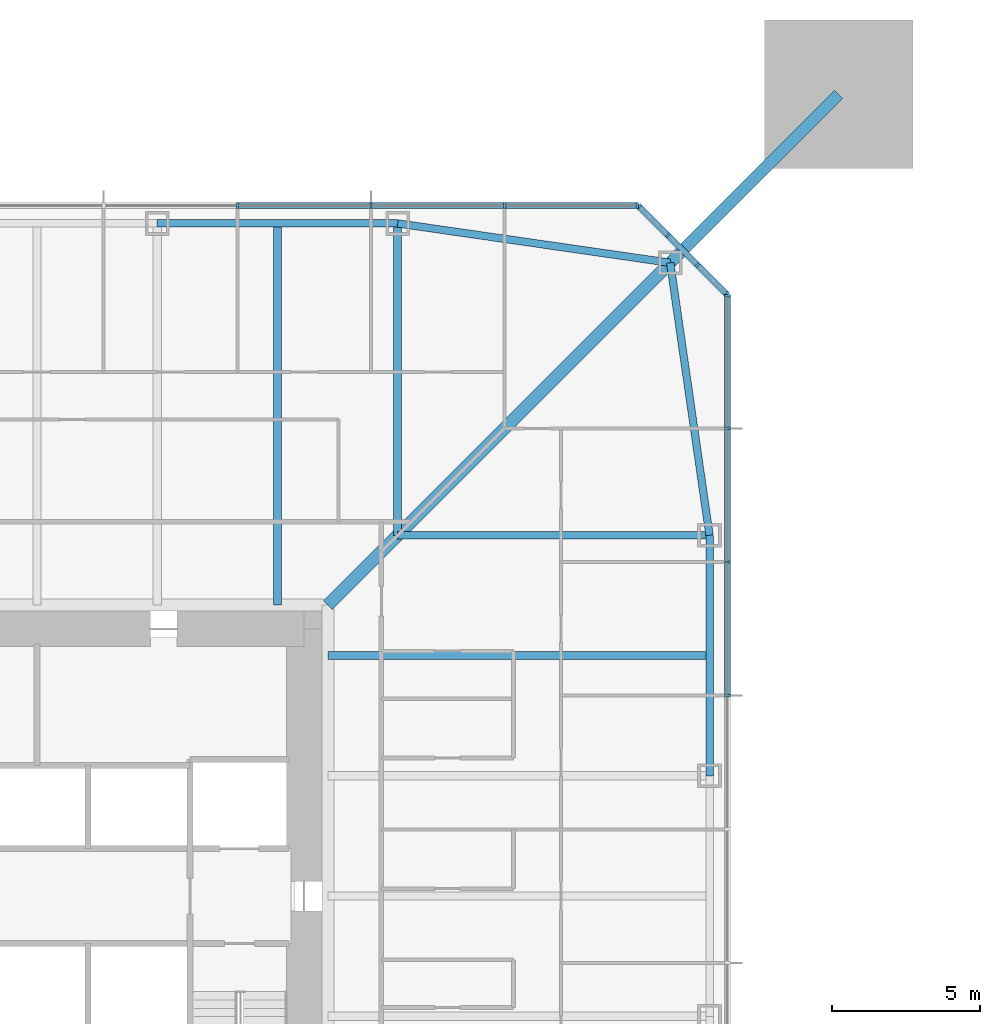
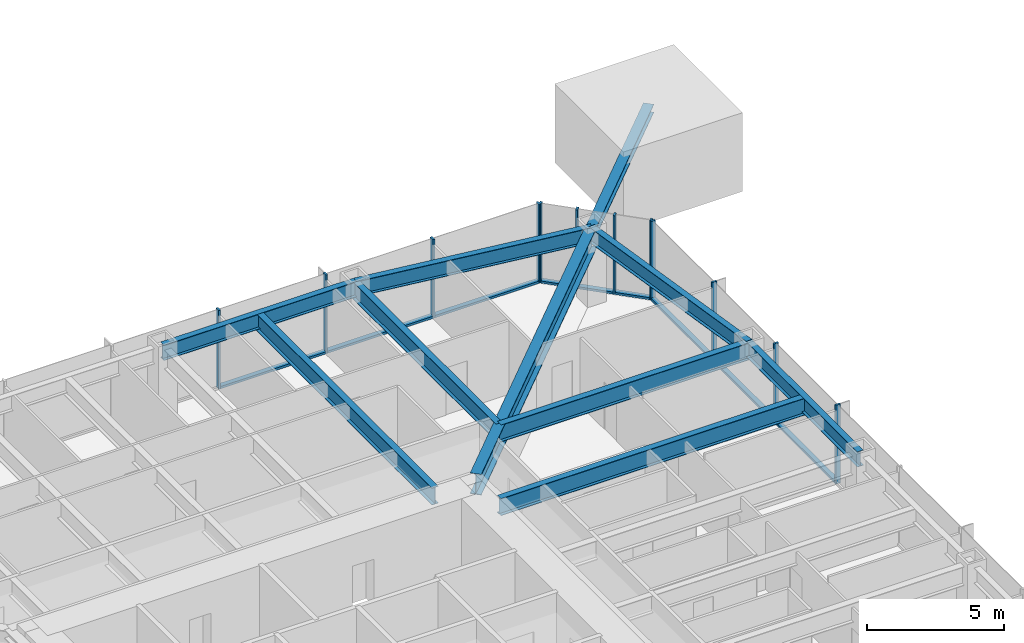
# One storey, part 7 of 26: 22 members, 9 beams, 3 elements without a shape of their own.
"""IFC4 building model written with IfcOpenShell, lengths in metres."""

from ifc_helpers import new_model, si_unit, direction, frame, origin, origin_2d, place, context, subcontext, project, spatial, rectangle, i_section, extrude, material, material_profile, profile_set, type_object, element, aggregate, save


model = new_model("IFC4")

# Units and contexts
model_context = context("Model", 3, precision=1e-05, world=origin(), true_north=direction((0.0, 1.0)))
body_context = subcontext(model_context, "Body", "Model", "MODEL_VIEW")
ifc_project = project(units=[si_unit("LENGTHUNIT", "METRE"), si_unit("AREAUNIT", "SQUARE_METRE"), si_unit("VOLUMEUNIT", "CUBIC_METRE"), si_unit("PLANEANGLEUNIT", "RADIAN"), si_unit("MASSUNIT", "GRAM", prefix="KILO")], contexts=[model_context])

# Site, building, storey
site_placement = place(None, origin())
site = spatial("IfcSite", under=ifc_project, at=site_placement, CompositionType="ELEMENT")
building_placement = place(site_placement, origin())
building = spatial("IfcBuilding", under=site, at=building_placement, Name="Iwan Alto Co-Living Towers", CompositionType="ELEMENT")
storey_placement = place(building_placement, frame((0.0, 0.0, 36.0)))
storey = spatial("IfcBuildingStorey", under=building, at=storey_placement, Name="L09", CompositionType="ELEMENT", Elevation=36.0)

# Curtain wall, members
ifc_material_1 = material(Name="Bronze aluminium unitised frame", Category="aluminium")
curtain_wall_type_1 = type_object("IfcCurtainWallType", Name="CURTAIN WALL CW-A", PredefinedType="NOTDEFINED", material=ifc_material_1)
curtain_wall_1_placement = place(storey_placement, origin())
curtain_wall_1 = element("IfcCurtainWall", 1, at=curtain_wall_1_placement, inside=storey, type_object=curtain_wall_type_1, Name="T1 curtain wall E L09", PredefinedType="NOTDEFINED")
ifc_material_2 = material(Name="Aluminium 6063-T6 bronze anodised", Category="aluminium")
ifc_material_profile_1 = material_profile(ifc_material_2, rectangle(XDim=0.199951171875, YDim=0.080078125, at=origin_2d()), Name="AL 80X200")
ifc_profile_set_1 = profile_set([ifc_material_profile_1], Name="Aluminium 6063-T6 bronze anodised")
member_type_1 = type_object("IfcMemberType", Name="CW-A MULLION 80X200", PredefinedType="MULLION", material=ifc_profile_set_1)
member_1_placement = place(storey_placement, frame((23.25, 6.75, 0.0), z_axis=(0.0, 0.0, 1.0), x_axis=(-1.0, 0.0, 0.0)))
member_1 = element("IfcMember", 2, at=member_1_placement, type_object=member_type_1, Name="CW-A mullion 7", PredefinedType="MULLION", context=body_context, shape_type="SweptSolid", body=[
    extrude(rectangle(XDim=0.199951171875, YDim=0.080078125, at=origin_2d()), origin(), (0.0, 0.0, 1.0), 3.5),
])
member_2_placement = place(storey_placement, frame((23.25, 11.25, 0.0), z_axis=(0.0, 0.0, 1.0), x_axis=(-1.0, 0.0, 0.0)))
member_2 = element("IfcMember", 3, at=member_2_placement, type_object=member_type_1, Name="CW-A mullion 8", PredefinedType="MULLION", context=body_context, shape_type="SweptSolid", body=[
    extrude(rectangle(XDim=0.199951171875, YDim=0.080078125, at=origin_2d()), origin(), (0.0, 0.0, 1.0), 3.5),
])
member_3_placement = place(storey_placement, frame((23.25, 15.75, 0.0), z_axis=(0.0, 0.0, 1.0), x_axis=(-1.0, 0.0, 0.0)))
member_3 = element("IfcMember", 4, at=member_3_placement, type_object=member_type_1, Name="CW-A mullion 9", PredefinedType="MULLION", context=body_context, shape_type="SweptSolid", body=[
    extrude(rectangle(XDim=0.199951171875, YDim=0.080078125, at=origin_2d()), origin(), (0.0, 0.0, 1.0), 3.5),
])
member_4_placement = place(storey_placement, frame((23.25, 20.2099609375, 0.0), z_axis=(0.0, 0.0, 1.0), x_axis=(-1.0, 0.0, 0.0)))
member_4 = element("IfcMember", 5, at=member_4_placement, type_object=member_type_1, Name="CW-A mullion 10", PredefinedType="MULLION", context=body_context, shape_type="SweptSolid", body=[
    extrude(rectangle(XDim=0.199951171875, YDim=0.080078125, at=origin_2d()), origin(), (0.0, 0.0, 1.0), 3.5),
])

curtain_wall_2_placement = place(storey_placement, origin())
curtain_wall_2 = element("IfcCurtainWall", 6, at=curtain_wall_2_placement, inside=storey, type_object=curtain_wall_type_1, Name="T1 curtain wall N L09", PredefinedType="NOTDEFINED")
member_5_placement = place(storey_placement, frame((20.2099609375, 23.25, 0.0), z_axis=(0.0, 0.0, 1.0), x_axis=(0.0, -1.0, 0.0)))
member_5 = element("IfcMember", 7, at=member_5_placement, type_object=member_type_1, Name="CW-A mullion 1", PredefinedType="MULLION", context=body_context, shape_type="SweptSolid", body=[
    extrude(rectangle(XDim=0.199951171875, YDim=0.080078125, at=origin_2d()), origin(), (0.0, 0.0, 1.0), 3.5),
])
member_6_placement = place(storey_placement, frame((15.75, 23.25, 0.0), z_axis=(0.0, 0.0, 1.0), x_axis=(0.0, -1.0, 0.0)))
member_6 = element("IfcMember", 8, at=member_6_placement, type_object=member_type_1, Name="CW-A mullion 2", PredefinedType="MULLION", context=body_context, shape_type="SweptSolid", body=[
    extrude(rectangle(XDim=0.199951171875, YDim=0.080078125, at=origin_2d()), origin(), (0.0, 0.0, 1.0), 3.5),
])
member_7_placement = place(storey_placement, frame((11.25, 23.25, 0.0), z_axis=(0.0, 0.0, 1.0), x_axis=(0.0, -1.0, 0.0)))
member_7 = element("IfcMember", 9, at=member_7_placement, type_object=member_type_1, Name="CW-A mullion 3", PredefinedType="MULLION", context=body_context, shape_type="SweptSolid", body=[
    extrude(rectangle(XDim=0.199951171875, YDim=0.080078125, at=origin_2d()), origin(), (0.0, 0.0, 1.0), 3.5),
])
member_8_placement = place(storey_placement, frame((6.75, 23.25, 0.0), z_axis=(0.0, 0.0, 1.0), x_axis=(0.0, -1.0, 0.0)))
member_8 = element("IfcMember", 10, at=member_8_placement, type_object=member_type_1, Name="CW-A mullion 4", PredefinedType="MULLION", context=body_context, shape_type="SweptSolid", body=[
    extrude(rectangle(XDim=0.199951171875, YDim=0.080078125, at=origin_2d()), origin(), (0.0, 0.0, 1.0), 3.5),
])

# Member
ifc_material_3 = material(Name="Aluminium 6063-T6 bronze anodised", Category="aluminium")
ifc_material_profile_2 = material_profile(ifc_material_3, rectangle(XDim=0.199951171875, YDim=0.10009765625, at=origin_2d()), Name="AL 200X100")
ifc_profile_set_2 = profile_set([ifc_material_profile_2], Name="Aluminium 6063-T6 bronze anodised")
member_type_2 = type_object("IfcMemberType", Name="CW-A TRANSOM 200X100", PredefinedType="USERDEFINED", material=ifc_profile_set_2)
member_9_placement = place(storey_placement, frame((23.25, 6.7900390625, 0.050048828125), z_axis=(0.0, 1.0, 0.0), x_axis=(-1.0, 0.0, 0.0)))
member_9 = element("IfcMember", 11, at=member_9_placement, type_object=member_type_2, Name="CW-A transom 7.1", ObjectType="TRANSOM", PredefinedType="USERDEFINED", context=body_context, shape_type="SweptSolid", body=[
    extrude(rectangle(XDim=0.199951171875, YDim=0.10009765625, at=origin_2d()), origin(), (0.0, 0.0, 1.0), 4.419921875),
])

member_10_placement = place(storey_placement, frame((23.25, 11.2900390625, 0.050048828125), z_axis=(0.0, 1.0, 0.0), x_axis=(-1.0, 0.0, 0.0)))
member_10 = element("IfcMember", 12, at=member_10_placement, type_object=member_type_2, Name="CW-A transom 8.1", ObjectType="TRANSOM", PredefinedType="USERDEFINED", context=body_context, shape_type="SweptSolid", body=[
    extrude(rectangle(XDim=0.199951171875, YDim=0.10009765625, at=origin_2d()), origin(), (0.0, 0.0, 1.0), 4.419921875),
])

member_11_placement = place(storey_placement, frame((23.25, 15.7900390625, 0.050048828125), z_axis=(0.0, 1.0, 0.0), x_axis=(-1.0, 0.0, 0.0)))
member_11 = element("IfcMember", 13, at=member_11_placement, type_object=member_type_2, Name="CW-A transom 9.1", ObjectType="TRANSOM", PredefinedType="USERDEFINED", context=body_context, shape_type="SweptSolid", body=[
    extrude(rectangle(XDim=0.199951171875, YDim=0.10009765625, at=origin_2d()), origin(), (0.0, 0.0, 1.0), 4.3798828125),
])

aggregate(curtain_wall_1, [member_1, member_2, member_3, member_4, member_9, member_10, member_11])

member_12_placement = place(storey_placement, frame((20.169921875, 23.25, 0.050048828125), z_axis=(-1.0, 0.0, 0.0), x_axis=(0.0, -1.0, 0.0)))
member_12 = element("IfcMember", 14, at=member_12_placement, type_object=member_type_2, Name="CW-A transom 1.1", ObjectType="TRANSOM", PredefinedType="USERDEFINED", context=body_context, shape_type="SweptSolid", body=[
    extrude(rectangle(XDim=0.199951171875, YDim=0.10009765625, at=origin_2d()), origin(), (0.0, 0.0, 1.0), 4.3798828125),
])

member_13_placement = place(storey_placement, frame((15.7099609375, 23.25, 0.050048828125), z_axis=(-1.0, 0.0, 0.0), x_axis=(0.0, -1.0, 0.0)))
member_13 = element("IfcMember", 15, at=member_13_placement, type_object=member_type_2, Name="CW-A transom 2.1", ObjectType="TRANSOM", PredefinedType="USERDEFINED", context=body_context, shape_type="SweptSolid", body=[
    extrude(rectangle(XDim=0.199951171875, YDim=0.10009765625, at=origin_2d()), origin(), (0.0, 0.0, 1.0), 4.419921875),
])

member_14_placement = place(storey_placement, frame((11.2099609375, 23.25, 0.050048828125), z_axis=(-1.0, 0.0, 0.0), x_axis=(0.0, -1.0, 0.0)))
member_14 = element("IfcMember", 16, at=member_14_placement, type_object=member_type_2, Name="CW-A transom 3.1", ObjectType="TRANSOM", PredefinedType="USERDEFINED", context=body_context, shape_type="SweptSolid", body=[
    extrude(rectangle(XDim=0.199951171875, YDim=0.10009765625, at=origin_2d()), origin(), (0.0, 0.0, 1.0), 4.419921875),
])

aggregate(curtain_wall_2, [member_5, member_6, member_7, member_8, member_12, member_13, member_14])

# Curtain wall, members
ifc_material_4 = material(Name="Bronze aluminium unitised frame", Category="aluminium")
curtain_wall_type_2 = type_object("IfcCurtainWallType", Name="CURTAIN WALL CW-B", PredefinedType="NOTDEFINED", material=ifc_material_4)
curtain_wall_3_placement = place(storey_placement, origin())
curtain_wall_3 = element("IfcCurtainWall", 17, at=curtain_wall_3_placement, inside=storey, type_object=curtain_wall_type_2, Name="T1 chamfer curtain wall NE L09", PredefinedType="NOTDEFINED")
ifc_material_5 = material(Name="Aluminium 6063-T6 bronze anodised", Category="aluminium")
ifc_material_profile_3 = material_profile(ifc_material_5, rectangle(XDim=0.199951171875, YDim=0.080078125, at=origin_2d()), Name="AL 80X200")
ifc_profile_set_3 = profile_set([ifc_material_profile_3], Name="Aluminium 6063-T6 bronze anodised")
member_type_3 = type_object("IfcMemberType", Name="CW-B MULLION 80X200", PredefinedType="MULLION", material=ifc_profile_set_3)
member_15_placement = place(storey_placement, frame((23.2216796875, 20.2783203125, 0.0), z_axis=(0.0, 0.0, 1.0), x_axis=(-0.707106781187, -0.707106781187, 0.0)))
member_15 = element("IfcMember", 18, at=member_15_placement, type_object=member_type_3, Name="CW-B mullion 1", PredefinedType="MULLION", context=body_context, shape_type="SweptSolid", body=[
    extrude(rectangle(XDim=0.199951171875, YDim=0.080078125, at=origin_2d()), origin(), (0.0, 0.0, 1.0), 3.5),
])
member_16_placement = place(storey_placement, frame((22.25, 21.25, 0.0), z_axis=(0.0, 0.0, 1.0), x_axis=(-0.707106781187, -0.707106781187, 0.0)))
member_16 = element("IfcMember", 19, at=member_16_placement, type_object=member_type_3, Name="CW-B mullion 2", PredefinedType="MULLION", context=body_context, shape_type="SweptSolid", body=[
    extrude(rectangle(XDim=0.199951171875, YDim=0.080078125, at=origin_2d()), origin(), (0.0, 0.0, 1.0), 3.5),
])
member_17_placement = place(storey_placement, frame((21.25, 22.25, 0.0), z_axis=(0.0, 0.0, 1.0), x_axis=(-0.707106781187, -0.707106781187, 0.0)))
member_17 = element("IfcMember", 20, at=member_17_placement, type_object=member_type_3, Name="CW-B mullion 3", PredefinedType="MULLION", context=body_context, shape_type="SweptSolid", body=[
    extrude(rectangle(XDim=0.199951171875, YDim=0.080078125, at=origin_2d()), origin(), (0.0, 0.0, 1.0), 3.5),
])
member_18_placement = place(storey_placement, frame((20.2783203125, 23.2216796875, 0.0), z_axis=(0.0, 0.0, 1.0), x_axis=(-0.707106781187, -0.707106781187, 0.0)))
member_18 = element("IfcMember", 21, at=member_18_placement, type_object=member_type_3, Name="CW-B mullion 4", PredefinedType="MULLION", context=body_context, shape_type="SweptSolid", body=[
    extrude(rectangle(XDim=0.199951171875, YDim=0.080078125, at=origin_2d()), origin(), (0.0, 0.0, 1.0), 3.5),
])
ifc_material_6 = material(Name="Aluminium 6063-T6 bronze anodised", Category="aluminium")
ifc_material_profile_4 = material_profile(ifc_material_6, rectangle(XDim=0.199951171875, YDim=0.10009765625, at=origin_2d()), Name="AL 200X100")
ifc_profile_set_4 = profile_set([ifc_material_profile_4], Name="Aluminium 6063-T6 bronze anodised")
member_type_4 = type_object("IfcMemberType", Name="CW-B TRANSOM 200X100", PredefinedType="USERDEFINED", material=ifc_profile_set_4)
member_19_placement = place(storey_placement, frame((23.193359375, 20.306640625, 0.050048828125), z_axis=(-0.707106781187, 0.707106781187, 0.0), x_axis=(-0.707106781187, -0.707106781187, 0.0)))
member_19 = element("IfcMember", 22, at=member_19_placement, type_object=member_type_4, Name="CW-B transom 1.1", ObjectType="TRANSOM", PredefinedType="USERDEFINED", context=body_context, shape_type="SweptSolid", body=[
    extrude(rectangle(XDim=0.199951171875, YDim=0.10009765625, at=origin_2d()), origin(), (0.0, 0.0, 1.0), 1.2939453125),
])
member_20_placement = place(storey_placement, frame((22.2216796875, 21.2783203125, 0.050048828125), z_axis=(-0.707106781187, 0.707106781187, 0.0), x_axis=(-0.707106781187, -0.707106781187, 0.0)))
member_20 = element("IfcMember", 23, at=member_20_placement, type_object=member_type_4, Name="CW-B transom 2.1", ObjectType="TRANSOM", PredefinedType="USERDEFINED", context=body_context, shape_type="SweptSolid", body=[
    extrude(rectangle(XDim=0.199951171875, YDim=0.10009765625, at=origin_2d()), origin(), (0.0, 0.0, 1.0), 1.334228515625),
])
member_21_placement = place(storey_placement, frame((21.2216796875, 22.2783203125, 0.050048828125), z_axis=(-0.707106781187, 0.707106781187, 0.0), x_axis=(-0.707106781187, -0.707106781187, 0.0)))
member_21 = element("IfcMember", 24, at=member_21_placement, type_object=member_type_4, Name="CW-B transom 3.1", ObjectType="TRANSOM", PredefinedType="USERDEFINED", context=body_context, shape_type="SweptSolid", body=[
    extrude(rectangle(XDim=0.199951171875, YDim=0.10009765625, at=origin_2d()), origin(), (0.0, 0.0, 1.0), 1.2939453125),
])
aggregate(curtain_wall_3, [member_15, member_16, member_17, member_18, member_19, member_20, member_21])

# Beams
ifc_material_7 = material(Name="Steel ASTM A992 Gr 50", Category="steel")
ifc_material_profile_5 = material_profile(ifc_material_7, i_section(OverallWidth=0.419189453125, OverallDepth=0.927001953125, WebThickness=0.019287109375, FlangeThickness=0.031982421875, at=origin_2d()), Name="W36X231")
ifc_profile_set_5 = profile_set([ifc_material_profile_5], Name="Steel ASTM A992 Gr 50")
beam_type_1 = type_object("IfcBeamType", Name="T1 CORNER GIRDER W36X231", PredefinedType="BEAM", material=ifc_profile_set_5)
beam_1_placement = place(storey_placement, frame((21.32568359375, 21.32568359375, 2.806396484375), z_axis=(-0.707106781187, -0.707106781187, 0.0), x_axis=(0.707106781187, -0.707106781187, 0.0)))
element("IfcBeam", 25, at=beam_1_placement, inside=storey, type_object=beam_type_1, Name="T1 corner girder CNE L10", PredefinedType="BEAM", context=body_context, shape_type="SweptSolid", body=[
    extrude(i_section(OverallWidth=0.419189453125, OverallDepth=0.927001953125, WebThickness=0.019287109375, FlangeThickness=0.031982421875, at=origin_2d()), origin(), (0.0, 0.0, 1.0), 16.296875),
])
ifc_material_8 = material(Name="Steel ASTM A992 Gr 50", Category="steel")
ifc_material_profile_6 = material_profile(ifc_material_8, i_section(OverallWidth=0.25390625, OverallDepth=0.683349609375, WebThickness=0.012451171875, FlangeThickness=0.018798828125, at=origin_2d()), Name="W27X94")
ifc_profile_set_6 = profile_set([ifc_material_profile_6], Name="Steel ASTM A992 Gr 50")
beam_type_2 = type_object("IfcBeamType", Name="T1 EDGE BEAM W27X94", PredefinedType="BEAM", material=ifc_profile_set_6)
beam_2_placement = place(storey_placement, frame((22.64990234375, 4.050048828125, 2.928466796875), z_axis=(0.0, 1.0, 0.0), x_axis=(-1.0, 0.0, 0.0)))
element("IfcBeam", 26, at=beam_2_placement, inside=storey, type_object=beam_type_2, Name="T1 edge beam E3 L10", PredefinedType="BEAM", context=body_context, shape_type="SweptSolid", body=[
    extrude(i_section(OverallWidth=0.25390625, OverallDepth=0.683349609375, WebThickness=0.012451171875, FlangeThickness=0.018798828125, at=origin_2d()), origin(), (0.0, 0.0, 1.0), 8.099853515625),
])
for number, where, z_axis, x_axis, name in (
    (27, (22.64990234375, 12.14990234375, 2.928466796875), (-0.142836940589, 0.989746234347, 0.0), (-0.989746234347, -0.142836940589, 0.0), "T1 edge beam E4 L10"),
    (28, (21.32568359375, 21.32568359375, 2.928466796875), (-0.989746234347, 0.142836940589, 0.0), (-0.142836940589, -0.989746234347, 0.0), "T1 edge beam CNE L10"),
):
    element("IfcBeam", number, at=place(storey_placement, frame(where, z_axis=z_axis, x_axis=x_axis)), inside=storey, type_object=beam_type_2, Name=name, PredefinedType="BEAM", context=body_context, shape_type="SweptSolid", body=[
        extrude(i_section(OverallWidth=0.25390625, OverallDepth=0.683349609375, WebThickness=0.012451171875, FlangeThickness=0.018798828125, at=origin_2d()), origin(), (0.0, 0.0, 1.0), 9.270751953125),
    ])
beam_3_placement = place(storey_placement, frame((12.14990234375, 22.64990234375, 2.928466796875), z_axis=(-1.0, 0.0, 0.0), x_axis=(0.0, -1.0, 0.0)))
element("IfcBeam", 29, at=beam_3_placement, inside=storey, type_object=beam_type_2, Name="T1 edge beam N1 L10", PredefinedType="BEAM", context=body_context, shape_type="SweptSolid", body=[
    extrude(i_section(OverallWidth=0.25390625, OverallDepth=0.683349609375, WebThickness=0.012451171875, FlangeThickness=0.018798828125, at=origin_2d()), origin(), (0.0, 0.0, 1.0), 8.099853515625),
])

# Member
ifc_material_9 = material(Name="Steel ASTM A992 Gr 50", Category="steel")
ifc_material_profile_7 = material_profile(ifc_material_9, i_section(OverallWidth=0.393798828125, OverallDepth=0.3759765625, WebThickness=0.017333984375, FlangeThickness=0.027587890625, at=origin_2d()), Name="W14X145")
ifc_profile_set_7 = profile_set([ifc_material_profile_7], Name="Steel ASTM A992 Gr 50")
member_type_5 = type_object("IfcMemberType", Name="T1 MEGA COLUMN FLOOR TIE W14X145", PredefinedType="STRUT", material=ifc_profile_set_7)
member_22_placement = place(storey_placement, frame((27.0, 27.0, 3.08203125), z_axis=(-0.707106781187, -0.707106781187, 0.0), x_axis=(0.707106781187, -0.707106781187, 0.0)))
element("IfcMember", 30, at=member_22_placement, inside=storey, type_object=member_type_5, Name="T1 mega column floor tie NE L10", PredefinedType="STRUT", context=body_context, shape_type="SweptSolid", body=[
    extrude(i_section(OverallWidth=0.393798828125, OverallDepth=0.3759765625, WebThickness=0.017333984375, FlangeThickness=0.027587890625, at=origin_2d()), origin(), (0.0, 0.0, 1.0), 8.024658203125),
])

# Beams
ifc_material_10 = material(Name="Steel ASTM A992 Gr 50", Category="steel")
ifc_material_profile_8 = material_profile(ifc_material_10, i_section(OverallWidth=0.2666015625, OverallDepth=0.761962890625, WebThickness=0.014404296875, FlangeThickness=0.021484375, at=origin_2d()), Name="W30X116")
ifc_profile_set_8 = profile_set([ifc_material_profile_8], Name="Steel ASTM A992 Gr 50")
beam_type_3 = type_object("IfcBeamType", Name="T1 RADIAL BEAM W30X116", PredefinedType="BEAM", material=ifc_profile_set_8)
for number, where, z_axis, x_axis, name in (
    (31, (22.64990234375, 12.14990234375, 2.888916015625), (-1.0, 0.0, 0.0), (0.0, -1.0, 0.0), "T1 radial beam E4 L10"),
    (32, (12.14990234375, 22.64990234375, 2.888916015625), (0.0, -1.0, 0.0), (1.0, 0.0, 0.0), "T1 radial beam N1 L10"),
):
    element("IfcBeam", number, at=place(storey_placement, frame(where, z_axis=z_axis, x_axis=x_axis)), inside=storey, type_object=beam_type_3, Name=name, PredefinedType="BEAM", context=body_context, shape_type="SweptSolid", body=[
        extrude(i_section(OverallWidth=0.2666015625, OverallDepth=0.761962890625, WebThickness=0.014404296875, FlangeThickness=0.021484375, at=origin_2d()), origin(), (0.0, 0.0, 1.0), 10.5),
    ])
ifc_material_11 = material(Name="Steel ASTM A992 Gr 50", Category="steel")
ifc_material_profile_9 = material_profile(ifc_material_11, i_section(OverallWidth=0.2666015625, OverallDepth=0.761962890625, WebThickness=0.014404296875, FlangeThickness=0.021484375, at=origin_2d()), Name="W30X116")
ifc_profile_set_9 = profile_set([ifc_material_profile_9], Name="Steel ASTM A992 Gr 50")
beam_type_4 = type_object("IfcBeamType", Name="T1 SECONDARY BEAM W30X116", PredefinedType="JOIST", material=ifc_profile_set_9)
for number, where, z_axis, x_axis, name in (
    (33, (22.64990234375, 8.10009765625, 2.888916015625), (-1.0, 0.0, 0.0), (0.0, -1.0, 0.0), "T1 secondary beam E3 L10"),
    (34, (8.10009765625, 22.64990234375, 2.888916015625), (0.0, -1.0, 0.0), (1.0, 0.0, 0.0), "T1 secondary beam N1 L10"),
):
    element("IfcBeam", number, at=place(storey_placement, frame(where, z_axis=z_axis, x_axis=x_axis)), inside=storey, type_object=beam_type_4, Name=name, PredefinedType="JOIST", context=body_context, shape_type="SweptSolid", body=[
        extrude(i_section(OverallWidth=0.2666015625, OverallDepth=0.761962890625, WebThickness=0.014404296875, FlangeThickness=0.021484375, at=origin_2d()), origin(), (0.0, 0.0, 1.0), 12.847900390625),
    ])

save(model, "model.ifc")
